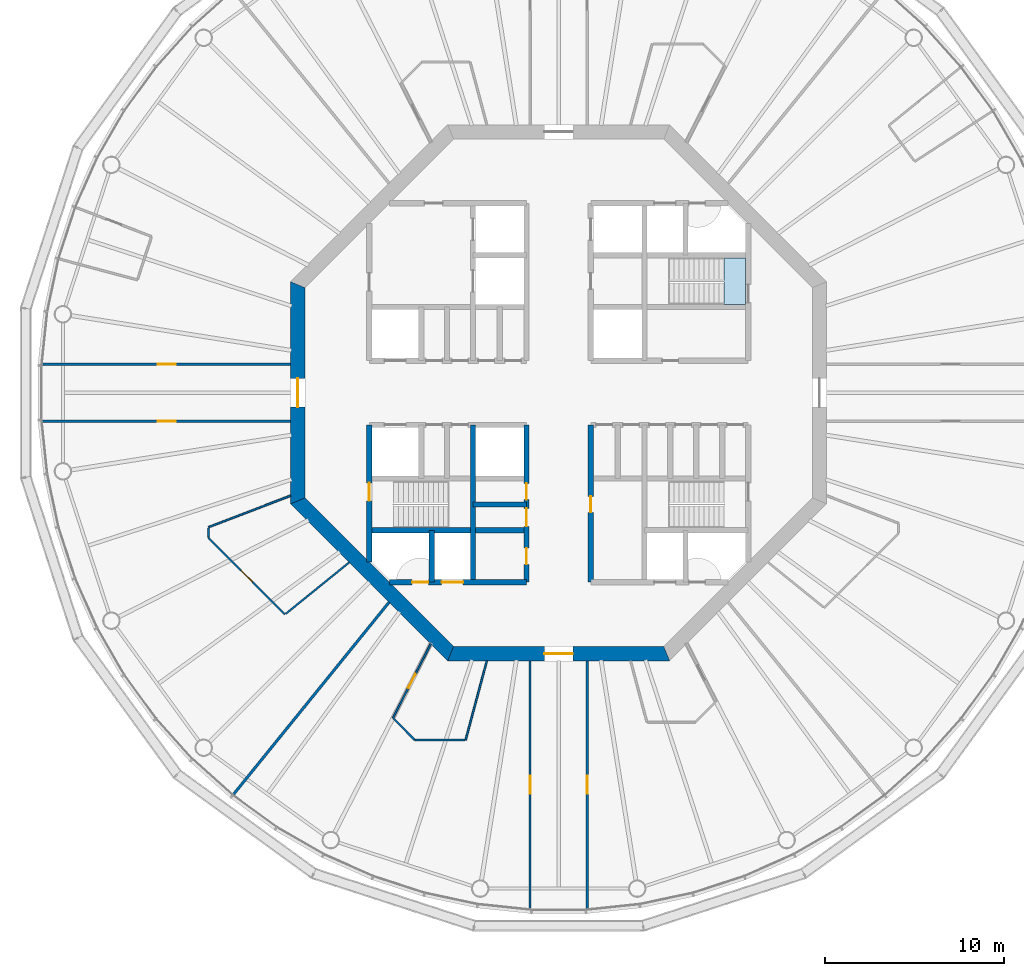
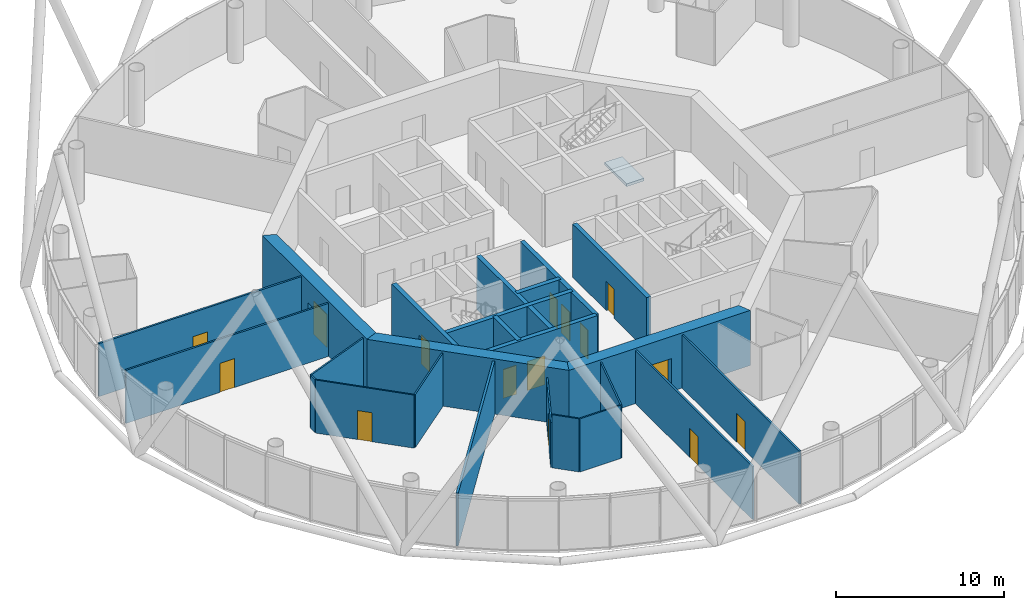
# One storey, part 3 of 13: 24 walls, 15 doors, 1 slab, 15 openings, 1 element without a shape of its own.
"""IFC4 building model written with IfcOpenShell, lengths in metres."""

from ifc_helpers import new_model, si_unit, direction, frame, frame_2d, origin, place, context, subcontext, project, spatial, polyline, rectangle, outline, extrude, material, layer, layer_set, type_object, element, fill, aggregate, save


model = new_model("IFC4")

# Units and contexts
model_context = context("Model", 3, precision=1e-05, world=origin(), true_north=direction((0.0, 1.0)))
body_context = subcontext(model_context, "Body", "Model", "MODEL_VIEW")
ifc_project = project(units=[si_unit("LENGTHUNIT", "METRE"), si_unit("AREAUNIT", "SQUARE_METRE"), si_unit("VOLUMEUNIT", "CUBIC_METRE"), si_unit("PLANEANGLEUNIT", "RADIAN"), si_unit("MASSUNIT", "GRAM", prefix="KILO")], contexts=[model_context])

# Site, building, storey
site_placement = place(None, origin())
site = spatial("IfcSite", under=ifc_project, at=site_placement, CompositionType="ELEMENT")
building_placement = place(site_placement, origin())
building = spatial("IfcBuilding", under=site, at=building_placement, Name="Entoto Ring Tower", CompositionType="ELEMENT")
storey_placement = place(building_placement, frame((0.0, 0.0, 294.0)))
storey = spatial("IfcBuildingStorey", under=building, at=storey_placement, Name="L67", CompositionType="ELEMENT", Elevation=294.0)

# Stair, slab
ifc_material_1 = material(Name="Concrete C40/50", Category="concrete")
stair_type = type_object("IfcStairType", Name="Exit stair 1200 mm dog-leg reinforced concrete", PredefinedType="HALF_TURN_STAIR", material=ifc_material_1)
stair_placement = place(storey_placement, origin())
stair = element("IfcStair", 1, at=stair_placement, inside=storey, type_object=stair_type, Name="Exit stair 1", PredefinedType="HALF_TURN_STAIR")
ifc_material_2 = material(Name="Concrete C40/50", Category="concrete")
ifc_layer_1 = layer(ifc_material_2, 0.199951171875)
ifc_layer_set_1 = layer_set([ifc_layer_1], Name="Concrete C40/50")
slab_type = type_object("IfcSlabType", Name="Stair landing 200 mm reinforced concrete", PredefinedType="LANDING", material=ifc_layer_set_1)
slab_placement = place(storey_placement, frame((0.0, 0.0, -0.199951171875)))
slab = element("IfcSlab", 2, at=slab_placement, type_object=slab_type, Name="ST1 landing 1", PredefinedType="LANDING", context=body_context, shape_type="SweptSolid", body=[
    extrude(outline(polyline([(100.449951171875, 84.949951171875), (100.449951171875, 87.550048828125), (99.25, 87.550048828125), (99.25, 84.949951171875), (100.449951171875, 84.949951171875)])), origin(), (0.0, 0.0, 1.0), 0.199951171875),
])
aggregate(stair, [slab])

# Wall, opening, door
ifc_material_3 = material(Name="Concrete C40/50", Category="concrete")
ifc_layer_2 = layer(ifc_material_3, 0.300048828125)
ifc_layer_set_2 = layer_set([ifc_layer_2], Name="Concrete C40/50")
wall_type_1 = type_object("IfcWallType", Name="Core enclosure wall 300 mm reinforced concrete", PredefinedType="SOLIDWALL", material=ifc_layer_set_2)
wall_1_placement = place(storey_placement, frame((91.800048828125, 69.39990234375, 0.0), z_axis=(0.0, 0.0, 1.0), x_axis=(0.0, 1.0, 0.0)))
wall_1 = element("IfcWall", 3, at=wall_1_placement, inside=storey, type_object=wall_type_1, Name="wall-L67-011", PredefinedType="SOLIDWALL", context=body_context, shape_type="SweptSolid", body=[
    extrude(rectangle(XDim=8.800048828125, YDim=0.300048828125, at=frame_2d((4.39990234375, 0.0))), origin(), (0.0, 0.0, 1.0), 3.85009765625),
])
opening_1_placement = place(wall_1_placement, frame((3.89990234375, 0.0, 0.0)))
opening_1 = element("IfcOpeningElement", 4, at=opening_1_placement, cuts=wall_1, Name="Opening K-21", PredefinedType="OPENING", context=body_context, shape_type="SweptSolid", body=[
    extrude(rectangle(XDim=0.89990234375, YDim=2.10009765625, at=frame_2d((0.449951171875, 1.050048828125))), frame((0.0, 0.16015625, 0.0), z_axis=(0.0, -1.0, 0.0), x_axis=(1.0, 0.0, 0.0)), (0.0, 0.0, 1.0), 0.320068359375),
])
ifc_material_4 = material(Name="Steel door leaf, fire rated", Category="steel")
ifc_layer_3 = layer(ifc_material_4, 0.050048828125)
ifc_layer_set_3 = layer_set([ifc_layer_3], Name="Steel door leaf, fire rated")
door_type_1 = type_object("IfcDoorType", Name="Core door 900 x 2100 single leaf", OperationType="NOTDEFINED", PredefinedType="DOOR", material=ifc_layer_set_3)
door_1_placement = place(opening_1_placement, frame((0.89990234375, 0.0, 0.0), z_axis=(0.0, 0.0, 1.0), x_axis=(-1.0, 0.0, 0.0)))
door_1 = element("IfcDoor", 5, at=door_1_placement, inside=storey, type_object=door_type_1, Name="Door K-21", OperationType="SINGLE_SWING_LEFT", OverallHeight=2.10009765625, OverallWidth=0.89990234375, PredefinedType="DOOR", context=body_context, shape_type="SweptSolid", body=[
    extrude(rectangle(XDim=0.89990234375, YDim=2.10009765625, at=frame_2d((0.449951171875, 1.050048828125))), frame((0.0, 0.02490234375, 0.0), z_axis=(0.0, -1.0, 0.0), x_axis=(1.0, 0.0, 0.0)), (0.0, 0.0, 1.0), 0.050048828125),
])
fill(opening_1, door_1)

# Wall, openings, doors
wall_2_placement = place(storey_placement, frame((88.199951171875, 69.39990234375, 0.0), z_axis=(0.0, 0.0, 1.0), x_axis=(0.0, 1.0, 0.0)))
wall_2 = element("IfcWall", 6, at=wall_2_placement, inside=storey, type_object=wall_type_1, Name="wall-L67-013", PredefinedType="SOLIDWALL", context=body_context, shape_type="SweptSolid", body=[
    extrude(rectangle(XDim=8.800048828125, YDim=0.300048828125, at=frame_2d((4.39990234375, 0.0))), origin(), (0.0, 0.0, 1.0), 3.85009765625),
])
opening_2_placement = place(wall_2_placement, frame((3.125, 0.0, 0.0)))
opening_2 = element("IfcOpeningElement", 7, at=opening_2_placement, cuts=wall_2, Name="Opening K-70", PredefinedType="OPENING", context=body_context, shape_type="SweptSolid", body=[
    extrude(rectangle(XDim=1.0, YDim=2.10009765625, at=frame_2d((0.5, 1.050048828125))), frame((0.0, 0.16015625, 0.0), z_axis=(0.0, -1.0, 0.0), x_axis=(1.0, 0.0, 0.0)), (0.0, 0.0, 1.0), 0.320068359375),
])
opening_3_placement = place(wall_2_placement, frame((4.625, 0.0, 0.0)))
opening_3 = element("IfcOpeningElement", 8, at=opening_3_placement, cuts=wall_2, Name="Opening K-71", PredefinedType="OPENING", context=body_context, shape_type="SweptSolid", body=[
    extrude(rectangle(XDim=0.89990234375, YDim=2.10009765625, at=frame_2d((0.449951171875, 1.050048828125))), frame((0.0, 0.16015625, 0.0), z_axis=(0.0, -1.0, 0.0), x_axis=(1.0, 0.0, 0.0)), (0.0, 0.0, 1.0), 0.320068359375),
])
opening_4_placement = place(wall_2_placement, frame((1.0, 0.0, 0.0)))
opening_4 = element("IfcOpeningElement", 9, at=opening_4_placement, cuts=wall_2, Name="Opening K-24", PredefinedType="OPENING", context=body_context, shape_type="SweptSolid", body=[
    extrude(rectangle(XDim=0.89990234375, YDim=2.10009765625, at=frame_2d((0.449951171875, 1.050048828125))), frame((0.0, 0.16015625, 0.0), z_axis=(0.0, -1.0, 0.0), x_axis=(1.0, 0.0, 0.0)), (0.0, 0.0, 1.0), 0.320068359375),
])
ifc_material_5 = material(Name="Steel door leaf, fire rated", Category="steel")
ifc_layer_4 = layer(ifc_material_5, 0.050048828125)
ifc_layer_set_4 = layer_set([ifc_layer_4], Name="Steel door leaf, fire rated")
door_type_2 = type_object("IfcDoorType", Name="Accessible door 1000 x 2100 single leaf", OperationType="NOTDEFINED", PredefinedType="DOOR", material=ifc_layer_set_4)
door_2_placement = place(opening_2_placement, origin())
door_2 = element("IfcDoor", 10, at=door_2_placement, inside=storey, type_object=door_type_2, Name="Door K-70", OperationType="SINGLE_SWING_RIGHT", OverallHeight=2.10009765625, OverallWidth=1.0, PredefinedType="DOOR", context=body_context, shape_type="SweptSolid", body=[
    extrude(rectangle(XDim=1.0, YDim=2.10009765625, at=frame_2d((0.5, 1.050048828125))), frame((0.0, 0.02490234375, 0.0), z_axis=(0.0, -1.0, 0.0), x_axis=(1.0, 0.0, 0.0)), (0.0, 0.0, 1.0), 0.050048828125),
])
fill(opening_2, door_2)
door_3_placement = place(opening_3_placement, origin())
door_3 = element("IfcDoor", 11, at=door_3_placement, inside=storey, type_object=door_type_1, Name="Door K-71", OperationType="SINGLE_SWING_RIGHT", OverallHeight=2.10009765625, OverallWidth=0.89990234375, PredefinedType="DOOR", context=body_context, shape_type="SweptSolid", body=[
    extrude(rectangle(XDim=0.89990234375, YDim=2.10009765625, at=frame_2d((0.449951171875, 1.050048828125))), frame((0.0, 0.02490234375, 0.0), z_axis=(0.0, -1.0, 0.0), x_axis=(1.0, 0.0, 0.0)), (0.0, 0.0, 1.0), 0.050048828125),
])
fill(opening_3, door_3)
door_4_placement = place(opening_4_placement, origin())
door_4 = element("IfcDoor", 12, at=door_4_placement, inside=storey, type_object=door_type_1, Name="Door K-24", OperationType="SINGLE_SWING_RIGHT", OverallHeight=2.10009765625, OverallWidth=0.89990234375, PredefinedType="DOOR", context=body_context, shape_type="SweptSolid", body=[
    extrude(rectangle(XDim=0.89990234375, YDim=2.10009765625, at=frame_2d((0.449951171875, 1.050048828125))), frame((0.0, 0.02490234375, 0.0), z_axis=(0.0, -1.0, 0.0), x_axis=(1.0, 0.0, 0.0)), (0.0, 0.0, 1.0), 0.050048828125),
])
fill(opening_4, door_4)

# Walls
wall_3_placement = place(storey_placement, frame((85.199951171875, 69.39990234375, 0.0), z_axis=(0.0, 0.0, 1.0), x_axis=(0.0, 1.0, 0.0)))
element("IfcWall", 13, at=wall_3_placement, inside=storey, type_object=wall_type_1, Name="wall-L67-016", PredefinedType="SOLIDWALL", context=body_context, shape_type="SweptSolid", body=[
    extrude(rectangle(XDim=8.800048828125, YDim=0.300048828125, at=frame_2d((4.39990234375, 0.0))), origin(), (0.0, 0.0, 1.0), 3.85009765625),
])
wall_4_placement = place(storey_placement, frame((82.89990234375, 69.39990234375, 0.0), z_axis=(0.0, 0.0, 1.0), x_axis=(0.0, 1.0, 0.0)))
element("IfcWall", 14, at=wall_4_placement, inside=storey, type_object=wall_type_1, Name="wall-L67-020", PredefinedType="SOLIDWALL", context=body_context, shape_type="SweptSolid", body=[
    extrude(rectangle(XDim=2.900146484375, YDim=0.300048828125, at=frame_2d((1.4501953125, 0.0))), origin(), (0.0, 0.0, 1.0), 3.85009765625),
])

# Wall, opening, door
wall_5_placement = place(storey_placement, frame((79.39990234375, 70.518310546875, 0.0), z_axis=(0.0, 0.0, 1.0), x_axis=(0.0, 1.0, 0.0)))
wall_5 = element("IfcWall", 15, at=wall_5_placement, inside=storey, type_object=wall_type_1, Name="wall-L67-023", PredefinedType="SOLIDWALL", context=body_context, shape_type="SweptSolid", body=[
    extrude(rectangle(XDim=7.681640625, YDim=0.300048828125, at=frame_2d((3.8408203125, 0.0))), origin(), (0.0, 0.0, 1.0), 3.85009765625),
])
opening_5_placement = place(wall_5_placement, frame((3.431884765625, 0.0, 0.0)))
opening_5 = element("IfcOpeningElement", 16, at=opening_5_placement, cuts=wall_5, Name="Opening K-30", PredefinedType="OPENING", context=body_context, shape_type="SweptSolid", body=[
    extrude(rectangle(XDim=1.0, YDim=2.10009765625, at=frame_2d((0.5, 1.050048828125))), frame((0.0, 0.16015625, 0.0), z_axis=(0.0, -1.0, 0.0), x_axis=(1.0, 0.0, 0.0)), (0.0, 0.0, 1.0), 0.320068359375),
])
ifc_material_6 = material(Name="Steel door leaf, fire rated", Category="steel")
ifc_layer_5 = layer(ifc_material_6, 0.050048828125)
ifc_layer_set_5 = layer_set([ifc_layer_5], Name="Steel door leaf, fire rated")
door_type_3 = type_object("IfcDoorType", Name="Fire door FD60 1000 x 2100 single leaf", OperationType="NOTDEFINED", PredefinedType="DOOR", material=ifc_layer_set_5)
door_5_placement = place(opening_5_placement, frame((1.0, 0.0, 0.0), z_axis=(0.0, 0.0, 1.0), x_axis=(-1.0, 0.0, 0.0)))
door_5 = element("IfcDoor", 17, at=door_5_placement, inside=storey, type_object=door_type_3, Name="Door K-30", OperationType="SINGLE_SWING_LEFT", OverallHeight=2.10009765625, OverallWidth=1.0, PredefinedType="DOOR", context=body_context, shape_type="SweptSolid", body=[
    extrude(rectangle(XDim=1.0, YDim=2.10009765625, at=frame_2d((0.5, 1.050048828125))), frame((0.0, 0.02490234375, 0.0), z_axis=(0.0, -1.0, 0.0), x_axis=(1.0, 0.0, 0.0)), (0.0, 0.0, 1.0), 0.050048828125),
])
fill(opening_5, door_5)

# Wall, openings, doors
wall_6_placement = place(storey_placement, frame((80.518310546875, 69.39990234375, 0.0), z_axis=(0.0, 0.0, 1.0), x_axis=(1.0, 0.0, 0.0)))
wall_6 = element("IfcWall", 18, at=wall_6_placement, inside=storey, type_object=wall_type_1, Name="wall-L67-025", PredefinedType="SOLIDWALL", context=body_context, shape_type="SweptSolid", body=[
    extrude(rectangle(XDim=7.681640625, YDim=0.300048828125, at=frame_2d((3.8408203125, 0.0))), origin(), (0.0, 0.0, 1.0), 3.85009765625),
])
opening_6_placement = place(wall_6_placement, frame((2.931884765625, 0.0, 0.0)))
opening_6 = element("IfcOpeningElement", 19, at=opening_6_placement, cuts=wall_6, Name="Opening LD", PredefinedType="OPENING", context=body_context, shape_type="SweptSolid", body=[
    extrude(rectangle(XDim=1.199951171875, YDim=2.10009765625, at=frame_2d((0.60009765625, 1.050048828125))), frame((0.0, 0.16015625, 0.0), z_axis=(0.0, -1.0, 0.0), x_axis=(1.0, 0.0, 0.0)), (0.0, 0.0, 1.0), 0.320068359375),
])
opening_7_placement = place(wall_6_placement, frame((1.28173828125, 0.0, 0.0)))
opening_7 = element("IfcOpeningElement", 20, at=opening_7_placement, cuts=wall_6, Name="Opening K-33", PredefinedType="OPENING", context=body_context, shape_type="SweptSolid", body=[
    extrude(rectangle(XDim=0.89990234375, YDim=2.10009765625, at=frame_2d((0.449951171875, 1.050048828125))), frame((0.0, 0.16015625, 0.0), z_axis=(0.0, -1.0, 0.0), x_axis=(1.0, 0.0, 0.0)), (0.0, 0.0, 1.0), 0.320068359375),
])
ifc_material_7 = material(Name="Steel and glass door leaf", Category="steel")
ifc_layer_6 = layer(ifc_material_7, 0.050048828125)
ifc_layer_set_6 = layer_set([ifc_layer_6], Name="Steel and glass door leaf")
door_type_4 = type_object("IfcDoorType", Name="Landing door 1200 x 2100 sliding", OperationType="DOUBLE_DOOR_SLIDING", PredefinedType="DOOR", material=ifc_layer_set_6)
door_6_placement = place(opening_6_placement, origin())
door_6 = element("IfcDoor", 21, at=door_6_placement, inside=storey, type_object=door_type_4, Name="Landing door LB3-HR", OperationType="SLIDING_TO_RIGHT", OverallHeight=2.10009765625, OverallWidth=1.199951171875, PredefinedType="DOOR", context=body_context, shape_type="SweptSolid", body=[
    extrude(rectangle(XDim=1.199951171875, YDim=2.10009765625, at=frame_2d((0.60009765625, 1.050048828125))), frame((0.0, 0.02490234375, 0.0), z_axis=(0.0, -1.0, 0.0), x_axis=(1.0, 0.0, 0.0)), (0.0, 0.0, 1.0), 0.050048828125),
])
fill(opening_6, door_6)
ifc_material_8 = material(Name="Steel door leaf, fire rated", Category="steel")
ifc_layer_7 = layer(ifc_material_8, 0.050048828125)
ifc_layer_set_7 = layer_set([ifc_layer_7], Name="Steel door leaf, fire rated")
door_type_5 = type_object("IfcDoorType", Name="Riser door FD60 900 x 2100 single leaf", OperationType="NOTDEFINED", PredefinedType="DOOR", material=ifc_layer_set_7)
door_7_placement = place(opening_7_placement, origin())
door_7 = element("IfcDoor", 22, at=door_7_placement, inside=storey, type_object=door_type_5, Name="Door K-33", OperationType="SINGLE_SWING_RIGHT", OverallHeight=2.10009765625, OverallWidth=0.89990234375, PredefinedType="DOOR", context=body_context, shape_type="SweptSolid", body=[
    extrude(rectangle(XDim=0.89990234375, YDim=2.10009765625, at=frame_2d((0.449951171875, 1.050048828125))), frame((0.0, 0.02490234375, 0.0), z_axis=(0.0, -1.0, 0.0), x_axis=(1.0, 0.0, 0.0)), (0.0, 0.0, 1.0), 0.050048828125),
])
fill(opening_7, door_7)

# Walls
wall_7_placement = place(storey_placement, frame((79.39990234375, 72.300048828125, 0.0), z_axis=(0.0, 0.0, 1.0), x_axis=(1.0, 0.0, 0.0)))
element("IfcWall", 23, at=wall_7_placement, inside=storey, type_object=wall_type_1, Name="wall-L67-027", PredefinedType="SOLIDWALL", context=body_context, shape_type="SweptSolid", body=[
    extrude(rectangle(XDim=8.800048828125, YDim=0.300048828125, at=frame_2d((4.39990234375, 0.0))), origin(), (0.0, 0.0, 1.0), 3.85009765625),
])
wall_8_placement = place(storey_placement, frame((85.199951171875, 73.75, 0.0), z_axis=(0.0, 0.0, 1.0), x_axis=(1.0, 0.0, 0.0)))
element("IfcWall", 24, at=wall_8_placement, inside=storey, type_object=wall_type_1, Name="wall-L67-029", PredefinedType="SOLIDWALL", context=body_context, shape_type="SweptSolid", body=[
    extrude(rectangle(XDim=3.0, YDim=0.300048828125, at=frame_2d((1.5, 0.0))), origin(), (0.0, 0.0, 1.0), 3.85009765625),
])

# Wall, opening, door
ifc_material_9 = material(Name="Concrete C40/50", Category="concrete")
ifc_layer_8 = layer(ifc_material_9, 0.800048828125)
ifc_layer_set_8 = layer_set([ifc_layer_8], Name="Concrete C40/50")
wall_type_2 = type_object("IfcWallType", Name="Core shear wall 800 mm reinforced concrete C40/50", PredefinedType="SHEAR", material=ifc_layer_set_8)
wall_9_placement = place(storey_placement, frame((75.39990234375, 86.047607421875, 0.0), z_axis=(0.0, 0.0, 1.0), x_axis=(0.0, -1.0, 0.0)))
wall_9 = element("IfcWall", 25, at=wall_9_placement, inside=storey, type_object=wall_type_2, Name="wall-L67-core-4", PredefinedType="SHEAR", context=body_context, shape_type="SweptSolid", body=[
    extrude(outline(polyline([(-0.165771484375, -0.39990234375), (12.260986328125, -0.39990234375), (11.929443359375, 0.39990234375), (0.165771484375, 0.39990234375), (-0.165771484375, -0.39990234375)])), origin(), (0.0, 0.0, 1.0), 4.0),
])
opening_8_placement = place(wall_9_placement, frame((5.24755859375, 0.0, 0.0)))
opening_8 = element("IfcOpeningElement", 26, at=opening_8_placement, cuts=wall_9, Name="Opening K-03", PredefinedType="OPENING", context=body_context, shape_type="SweptSolid", body=[
    extrude(rectangle(XDim=1.60009765625, YDim=2.39990234375, at=frame_2d((0.800048828125, 1.199951171875))), frame((0.0, 0.41015625, 0.0), z_axis=(0.0, -1.0, 0.0), x_axis=(1.0, 0.0, 0.0)), (0.0, 0.0, 1.0), 0.820068359375),
])
ifc_material_10 = material(Name="Steel door leaf, fire rated", Category="steel")
ifc_layer_9 = layer(ifc_material_10, 0.050048828125)
ifc_layer_set_9 = layer_set([ifc_layer_9], Name="Steel door leaf, fire rated")
door_type_6 = type_object("IfcDoorType", Name="Entrance door FD60 1600 x 2400 double leaf", OperationType="DOUBLE_DOOR_SINGLE_SWING", PredefinedType="DOOR", material=ifc_layer_set_9)
door_8_placement = place(opening_8_placement, origin())
door_8 = element("IfcDoor", 27, at=door_8_placement, inside=storey, type_object=door_type_6, Name="Entrance door K-03", OperationType="DOUBLE_DOOR_SINGLE_SWING", OverallHeight=2.39990234375, OverallWidth=1.60009765625, PredefinedType="DOOR", context=body_context, shape_type="SweptSolid", body=[
    extrude(rectangle(XDim=1.60009765625, YDim=2.39990234375, at=frame_2d((0.800048828125, 1.199951171875))), frame((0.0, 0.02490234375, 0.0), z_axis=(0.0, -1.0, 0.0), x_axis=(1.0, 0.0, 0.0)), (0.0, 0.0, 1.0), 0.050048828125),
])
fill(opening_8, door_8)

# Wall
wall_10_placement = place(storey_placement, frame((75.39990234375, 73.952392578125, 0.0), z_axis=(0.0, 0.0, 1.0), x_axis=(0.707106781187, -0.707106781187, 0.0)))
element("IfcWall", 28, at=wall_10_placement, inside=storey, type_object=wall_type_2, Name="wall-L67-core-5", PredefinedType="SHEAR", context=body_context, shape_type="SweptSolid", body=[
    extrude(outline(polyline([(-0.165771484375, -0.39990234375), (12.2607421875, -0.39990234375), (11.92919921875, 0.39990234375), (0.165771484375, 0.39990234375), (-0.165771484375, -0.39990234375)])), origin(), (0.0, 0.0, 1.0), 4.0),
])

# Wall, opening, door
wall_11_placement = place(storey_placement, frame((83.952392578125, 65.39990234375, 0.0), z_axis=(0.0, 0.0, 1.0), x_axis=(1.0, 0.0, 0.0)))
wall_11 = element("IfcWall", 29, at=wall_11_placement, inside=storey, type_object=wall_type_2, Name="wall-L67-core-6", PredefinedType="SHEAR", context=body_context, shape_type="SweptSolid", body=[
    extrude(outline(polyline([(-0.165771484375, -0.39990234375), (12.260986328125, -0.39990234375), (11.929443359375, 0.39990234375), (0.165771484375, 0.39990234375), (-0.165771484375, -0.39990234375)])), origin(), (0.0, 0.0, 1.0), 4.0),
])
opening_9_placement = place(wall_11_placement, frame((5.24755859375, 0.0, 0.0)))
opening_9 = element("IfcOpeningElement", 30, at=opening_9_placement, cuts=wall_11, Name="Opening K-04", PredefinedType="OPENING", context=body_context, shape_type="SweptSolid", body=[
    extrude(rectangle(XDim=1.60009765625, YDim=2.39990234375, at=frame_2d((0.800048828125, 1.199951171875))), frame((0.0, 0.41015625, 0.0), z_axis=(0.0, -1.0, 0.0), x_axis=(1.0, 0.0, 0.0)), (0.0, 0.0, 1.0), 0.820068359375),
])
door_9_placement = place(opening_9_placement, origin())
door_9 = element("IfcDoor", 31, at=door_9_placement, inside=storey, type_object=door_type_6, Name="Entrance door K-04", OperationType="DOUBLE_DOOR_SINGLE_SWING", OverallHeight=2.39990234375, OverallWidth=1.60009765625, PredefinedType="DOOR", context=body_context, shape_type="SweptSolid", body=[
    extrude(rectangle(XDim=1.60009765625, YDim=2.39990234375, at=frame_2d((0.800048828125, 1.199951171875))), frame((0.0, 0.02490234375, 0.0), z_axis=(0.0, -1.0, 0.0), x_axis=(1.0, 0.0, 0.0)), (0.0, 0.0, 1.0), 0.050048828125),
])
fill(opening_9, door_9)

ifc_material_11 = material(Name="Fire-resisting plasterboard on steel studs", Category="steel")
ifc_layer_10 = layer(ifc_material_11, 0.125)
ifc_layer_set_10 = layer_set([ifc_layer_10], Name="Fire-resisting plasterboard on steel studs")
wall_type_3 = type_object("IfcWallType", Name="Corridor wall 125 mm one-hour plasterboard on steel studs", PredefinedType="PARTITIONING", material=ifc_layer_set_10)
wall_12_placement = place(storey_placement, frame((61.108642578125, 78.39990234375, 0.0), z_axis=(0.0, 0.0, 1.0), x_axis=(1.0, 0.0, 0.0)))
wall_12 = element("IfcWall", 32, at=wall_12_placement, inside=storey, type_object=wall_type_3, Name="partition-L67-001", PredefinedType="PARTITIONING", context=body_context, shape_type="SweptSolid", body=[
    extrude(rectangle(XDim=13.891357421875, YDim=0.125, at=frame_2d((6.94580078125, 0.0))), origin(), (0.0, 0.0, 1.0), 3.85009765625),
])
opening_10_placement = place(wall_12_placement, frame((6.44580078125, 0.0, 0.0)))
opening_10 = element("IfcOpeningElement", 33, at=opening_10_placement, cuts=wall_12, Name="Opening A29-D09", PredefinedType="OPENING", context=body_context, shape_type="SweptSolid", body=[
    extrude(rectangle(XDim=1.0, YDim=2.10009765625, at=frame_2d((0.5, 1.050048828125))), frame((0.0, 0.072509765625, 0.0), z_axis=(0.0, -1.0, 0.0), x_axis=(1.0, 0.0, 0.0)), (0.0, 0.0, 1.0), 0.14501953125),
])
ifc_material_12 = material(Name="Fire-resisting timber door set", Category="wood")
door_type_7 = type_object("IfcDoorType", Name="Door 1000 x 2100 single leaf FD30S fire door", OperationType="NOTDEFINED", PredefinedType="DOOR", material=ifc_material_12)
door_10_placement = place(opening_10_placement, frame((1.0, 0.0, 0.0), z_axis=(0.0, 0.0, 1.0), x_axis=(-1.0, 0.0, 0.0)))
door_10 = element("IfcDoor", 34, at=door_10_placement, inside=storey, type_object=door_type_7, Name="Door A29-D09", OperationType="SINGLE_SWING_RIGHT", OverallHeight=2.10009765625, OverallWidth=1.0, PredefinedType="DOOR", context=body_context, shape_type="SweptSolid", body=[
    extrude(rectangle(XDim=1.0, YDim=2.10009765625, at=frame_2d((0.5, 1.050048828125))), frame((0.0, 0.02490234375, 0.0), z_axis=(0.0, -1.0, 0.0), x_axis=(1.0, 0.0, 0.0)), (0.0, 0.0, 1.0), 0.050048828125),
])
fill(opening_10, door_10)

wall_13_placement = place(storey_placement, frame((61.108642578125, 81.60009765625, 0.0), z_axis=(0.0, 0.0, 1.0), x_axis=(1.0, 0.0, 0.0)))
wall_13 = element("IfcWall", 35, at=wall_13_placement, inside=storey, type_object=wall_type_3, Name="partition-L67-002", PredefinedType="PARTITIONING", context=body_context, shape_type="SweptSolid", body=[
    extrude(rectangle(XDim=13.891357421875, YDim=0.125, at=frame_2d((6.94580078125, 0.0))), origin(), (0.0, 0.0, 1.0), 3.85009765625),
])
opening_11_placement = place(wall_13_placement, frame((6.44580078125, 0.0, 0.0)))
opening_11 = element("IfcOpeningElement", 36, at=opening_11_placement, cuts=wall_13, Name="Opening A29-D07", PredefinedType="OPENING", context=body_context, shape_type="SweptSolid", body=[
    extrude(rectangle(XDim=1.0, YDim=2.10009765625, at=frame_2d((0.5, 1.050048828125))), frame((0.0, 0.072509765625, 0.0), z_axis=(0.0, -1.0, 0.0), x_axis=(1.0, 0.0, 0.0)), (0.0, 0.0, 1.0), 0.14501953125),
])
door_11_placement = place(opening_11_placement, origin())
door_11 = element("IfcDoor", 37, at=door_11_placement, inside=storey, type_object=door_type_7, Name="Door A29-D07", OperationType="SINGLE_SWING_LEFT", OverallHeight=2.10009765625, OverallWidth=1.0, PredefinedType="DOOR", context=body_context, shape_type="SweptSolid", body=[
    extrude(rectangle(XDim=1.0, YDim=2.10009765625, at=frame_2d((0.5, 1.050048828125))), frame((0.0, 0.02490234375, 0.0), z_axis=(0.0, -1.0, 0.0), x_axis=(1.0, 0.0, 0.0)), (0.0, 0.0, 1.0), 0.050048828125),
])
fill(opening_11, door_11)

wall_14_placement = place(storey_placement, frame((88.39990234375, 51.108642578125, 0.0), z_axis=(0.0, 0.0, 1.0), x_axis=(0.0, 1.0, 0.0)))
wall_14 = element("IfcWall", 38, at=wall_14_placement, inside=storey, type_object=wall_type_3, Name="partition-L67-003", PredefinedType="PARTITIONING", context=body_context, shape_type="SweptSolid", body=[
    extrude(rectangle(XDim=13.891357421875, YDim=0.125, at=frame_2d((6.94580078125, 0.0))), origin(), (0.0, 0.0, 1.0), 3.85009765625),
])
opening_12_placement = place(wall_14_placement, frame((6.44580078125, 0.0, 0.0)))
opening_12 = element("IfcOpeningElement", 39, at=opening_12_placement, cuts=wall_14, Name="Opening A29-D11", PredefinedType="OPENING", context=body_context, shape_type="SweptSolid", body=[
    extrude(rectangle(XDim=1.0, YDim=2.10009765625, at=frame_2d((0.5, 1.050048828125))), frame((0.0, 0.072509765625, 0.0), z_axis=(0.0, -1.0, 0.0), x_axis=(1.0, 0.0, 0.0)), (0.0, 0.0, 1.0), 0.14501953125),
])
door_12_placement = place(opening_12_placement, origin())
door_12 = element("IfcDoor", 40, at=door_12_placement, inside=storey, type_object=door_type_7, Name="Door A29-D11", OperationType="SINGLE_SWING_LEFT", OverallHeight=2.10009765625, OverallWidth=1.0, PredefinedType="DOOR", context=body_context, shape_type="SweptSolid", body=[
    extrude(rectangle(XDim=1.0, YDim=2.10009765625, at=frame_2d((0.5, 1.050048828125))), frame((0.0, 0.02490234375, 0.0), z_axis=(0.0, -1.0, 0.0), x_axis=(1.0, 0.0, 0.0)), (0.0, 0.0, 1.0), 0.050048828125),
])
fill(opening_12, door_12)

wall_15_placement = place(storey_placement, frame((91.60009765625, 51.108642578125, 0.0), z_axis=(0.0, 0.0, 1.0), x_axis=(0.0, 1.0, 0.0)))
wall_15 = element("IfcWall", 41, at=wall_15_placement, inside=storey, type_object=wall_type_3, Name="partition-L67-005", PredefinedType="PARTITIONING", context=body_context, shape_type="SweptSolid", body=[
    extrude(rectangle(XDim=13.891357421875, YDim=0.125, at=frame_2d((6.94580078125, 0.0))), origin(), (0.0, 0.0, 1.0), 3.85009765625),
])
opening_13_placement = place(wall_15_placement, frame((6.44580078125, 0.0, 0.0)))
opening_13 = element("IfcOpeningElement", 42, at=opening_13_placement, cuts=wall_15, Name="Opening A29-D13", PredefinedType="OPENING", context=body_context, shape_type="SweptSolid", body=[
    extrude(rectangle(XDim=1.0, YDim=2.10009765625, at=frame_2d((0.5, 1.050048828125))), frame((0.0, 0.072509765625, 0.0), z_axis=(0.0, -1.0, 0.0), x_axis=(1.0, 0.0, 0.0)), (0.0, 0.0, 1.0), 0.14501953125),
])
door_13_placement = place(opening_13_placement, frame((1.0, 0.0, 0.0), z_axis=(0.0, 0.0, 1.0), x_axis=(-1.0, 0.0, 0.0)))
door_13 = element("IfcDoor", 43, at=door_13_placement, inside=storey, type_object=door_type_7, Name="Door A29-D13", OperationType="SINGLE_SWING_RIGHT", OverallHeight=2.10009765625, OverallWidth=1.0, PredefinedType="DOOR", context=body_context, shape_type="SweptSolid", body=[
    extrude(rectangle(XDim=1.0, YDim=2.10009765625, at=frame_2d((0.5, 1.050048828125))), frame((0.0, 0.02490234375, 0.0), z_axis=(0.0, -1.0, 0.0), x_axis=(1.0, 0.0, 0.0)), (0.0, 0.0, 1.0), 0.050048828125),
])
fill(opening_13, door_13)

ifc_material_13 = material(Name="Plasterboard on steel studs", Category="steel")
ifc_layer_11 = layer(ifc_material_13, 0.10009765625)
ifc_layer_set_11 = layer_set([ifc_layer_11], Name="Plasterboard on steel studs")
wall_type_4 = type_object("IfcWallType", Name="Partition 100 mm plasterboard on steel studs", PredefinedType="PARTITIONING", material=ifc_layer_set_11)
wall_16_placement = place(storey_placement, frame((74.68408203125, 67.597412109375, 0.0), z_axis=(0.0, 0.0, 1.0), x_axis=(-0.707126929262, 0.707086632537, 0.0)))
wall_16 = element("IfcWall", 44, at=wall_16_placement, inside=storey, type_object=wall_type_4, Name="partition-L67-013", PredefinedType="PARTITIONING", context=body_context, shape_type="SweptSolid", body=[
    extrude(rectangle(XDim=6.05859375, YDim=0.10009765625, at=frame_2d((3.029296875, 0.0))), origin(), (0.0, 0.0, 1.0), 3.85009765625),
])
opening_14_placement = place(wall_16_placement, frame((2.579345703125, 0.0, 0.0)))
opening_14 = element("IfcOpeningElement", 45, at=opening_14_placement, cuts=wall_16, Name="Opening A29-D10", PredefinedType="OPENING", context=body_context, shape_type="SweptSolid", body=[
    extrude(rectangle(XDim=0.89990234375, YDim=2.10009765625, at=frame_2d((0.449951171875, 1.050048828125))), frame((0.0, 0.06005859375, 0.0), z_axis=(0.0, -1.0, 0.0), x_axis=(1.0, 0.0, 0.0)), (0.0, 0.0, 1.0), 0.1201171875),
])
ifc_material_14 = material(Name="Veneered timber door leaf in timber frame", Category="wood")
door_type_8 = type_object("IfcDoorType", Name="Door 900 x 2100 single leaf timber veneer", OperationType="NOTDEFINED", PredefinedType="DOOR", material=ifc_material_14)
door_14_placement = place(opening_14_placement, frame((0.89990234375, 0.0, 0.0), z_axis=(0.0, 0.0, 1.0), x_axis=(-1.0, 0.0, 0.0)))
door_14 = element("IfcDoor", 46, at=door_14_placement, inside=storey, type_object=door_type_8, Name="Door A29-D10", OperationType="SINGLE_SWING_RIGHT", OverallHeight=2.10009765625, OverallWidth=0.89990234375, PredefinedType="DOOR", context=body_context, shape_type="SweptSolid", body=[
    extrude(rectangle(XDim=0.89990234375, YDim=2.10009765625, at=frame_2d((0.449951171875, 1.050048828125))), frame((0.0, 0.02490234375, 0.0), z_axis=(0.0, -1.0, 0.0), x_axis=(1.0, 0.0, 0.0)), (0.0, 0.0, 1.0), 0.050048828125),
])
fill(opening_14, door_14)

# Walls
wall_17_placement = place(storey_placement, frame((70.39990234375, 72.476318359375, 0.0), z_axis=(0.0, 0.0, 1.0), x_axis=(0.933593126513, 0.358334863122, 0.0)))
element("IfcWall", 47, at=wall_17_placement, inside=storey, type_object=wall_type_4, Name="partition-L67-017", PredefinedType="PARTITIONING", context=body_context, shape_type="SweptSolid", body=[
    extrude(rectangle(XDim=4.92724609375, YDim=0.10009765625, at=frame_2d((2.463623046875, 0.0))), origin(), (0.0, 0.0, 1.0), 3.85009765625),
])
wall_18_placement = place(storey_placement, frame((74.72265625, 67.628662109375, 0.0), z_axis=(0.0, 0.0, 1.0), x_axis=(0.777133029687, 0.629336360121, 0.0)))
element("IfcWall", 48, at=wall_18_placement, inside=storey, type_object=wall_type_4, Name="partition-L67-021", PredefinedType="PARTITIONING", context=body_context, shape_type="SweptSolid", body=[
    extrude(rectangle(XDim=4.57568359375, YDim=0.10009765625, at=frame_2d((2.287841796875, 0.0))), origin(), (0.0, 0.0, 1.0), 3.85009765625),
])
wall_19_placement = place(storey_placement, frame((84.791015625, 60.56005859375, 0.0), z_axis=(0.0, 0.0, 1.0), x_axis=(0.258822810663, 0.965924817302, 0.0)))
element("IfcWall", 49, at=wall_19_placement, inside=storey, type_object=wall_type_4, Name="partition-L67-022", PredefinedType="PARTITIONING", context=body_context, shape_type="SweptSolid", body=[
    extrude(rectangle(XDim=4.5966796875, YDim=0.10009765625, at=frame_2d((2.29833984375, 0.0))), origin(), (0.0, 0.0, 1.0), 3.85009765625),
])
wall_20_placement = place(storey_placement, frame((81.94775390625, 60.56005859375, 0.0), z_axis=(0.0, 0.0, 1.0), x_axis=(1.0, 0.0, 0.0)))
element("IfcWall", 50, at=wall_20_placement, inside=storey, type_object=wall_type_4, Name="partition-L67-032", PredefinedType="PARTITIONING", context=body_context, shape_type="SweptSolid", body=[
    extrude(rectangle(XDim=2.795166015625, YDim=0.10009765625, at=frame_2d((1.3974609375, 0.0))), origin(), (0.0, 0.0, 1.0), 3.85009765625),
])
wall_21_placement = place(storey_placement, frame((81.9228515625, 60.584716796875, 0.0), z_axis=(0.0, 0.0, 1.0), x_axis=(-0.707032943482, 0.707180611181, 0.0)))
element("IfcWall", 51, at=wall_21_placement, inside=storey, type_object=wall_type_4, Name="partition-L67-038", PredefinedType="PARTITIONING", context=body_context, shape_type="SweptSolid", body=[
    extrude(rectangle(XDim=1.6533203125, YDim=0.10009765625, at=frame_2d((0.82666015625, 0.0))), origin(), (0.0, 0.0, 1.0), 3.85009765625),
])
wall_22_placement = place(storey_placement, frame((70.39990234375, 71.91650390625, 0.0), z_axis=(0.0, 0.0, 1.0), x_axis=(0.0, 1.0, 0.0)))
element("IfcWall", 52, at=wall_22_placement, inside=storey, type_object=wall_type_4, Name="partition-L67-041", PredefinedType="PARTITIONING", context=body_context, shape_type="SweptSolid", body=[
    extrude(rectangle(XDim=0.51318359375, YDim=0.10009765625, at=frame_2d((0.256591796875, 0.0))), origin(), (0.0, 0.0, 1.0), 3.85009765625),
])

# Wall, opening, door
ifc_material_15 = material(Name="Plasterboard on steel studs", Category="steel")
ifc_layer_12 = layer(ifc_material_15, 0.10009765625)
ifc_layer_set_12 = layer_set([ifc_layer_12], Name="Plasterboard on steel studs")
wall_type_5 = type_object("IfcWallType", Name="Partition 100 mm plasterboard on steel studs, 3250 mm high", PredefinedType="PARTITIONING", material=ifc_layer_set_12)
wall_23_placement = place(storey_placement, frame((80.72021484375, 61.787353515625, 0.0), z_axis=(0.0, 0.0, 1.0), x_axis=(0.453978268405, 0.891012756259, 0.0)))
wall_23 = element("IfcWall", 53, at=wall_23_placement, inside=storey, type_object=wall_type_5, Name="partition-L67-020", PredefinedType="PARTITIONING", context=body_context, shape_type="SweptSolid", body=[
    extrude(rectangle(XDim=4.66845703125, YDim=0.10009765625, at=frame_2d((2.334228515625, 0.0))), origin(), (0.0, 0.0, 1.0), 3.25),
])
opening_15_placement = place(wall_23_placement, frame((1.88427734375, 0.0, 0.0)))
opening_15 = element("IfcOpeningElement", 54, at=opening_15_placement, cuts=wall_23, Name="Opening A29-D12", PredefinedType="OPENING", context=body_context, shape_type="SweptSolid", body=[
    extrude(rectangle(XDim=0.89990234375, YDim=2.10009765625, at=frame_2d((0.449951171875, 1.050048828125))), frame((0.0, 0.06005859375, 0.0), z_axis=(0.0, -1.0, 0.0), x_axis=(1.0, 0.0, 0.0)), (0.0, 0.0, 1.0), 0.1201171875),
])
door_15_placement = place(opening_15_placement, frame((0.89990234375, 0.0, 0.0), z_axis=(0.0, 0.0, 1.0), x_axis=(-1.0, 0.0, 0.0)))
door_15 = element("IfcDoor", 55, at=door_15_placement, inside=storey, type_object=door_type_8, Name="Door A29-D12", OperationType="SINGLE_SWING_LEFT", OverallHeight=2.10009765625, OverallWidth=0.89990234375, PredefinedType="DOOR", context=body_context, shape_type="SweptSolid", body=[
    extrude(rectangle(XDim=0.89990234375, YDim=2.10009765625, at=frame_2d((0.449951171875, 1.050048828125))), frame((0.0, 0.02490234375, 0.0), z_axis=(0.0, -1.0, 0.0), x_axis=(1.0, 0.0, 0.0)), (0.0, 0.0, 1.0), 0.050048828125),
])
fill(opening_15, door_15)

# Wall
ifc_material_16 = material(Name="Fire-resisting acoustic plasterboard on steel studs", Category="steel")
ifc_layer_13 = layer(ifc_material_16, 0.14990234375)
ifc_layer_set_13 = layer_set([ifc_layer_13], Name="Fire-resisting acoustic plasterboard on steel studs")
wall_type_6 = type_object("IfcWallType", Name="Party wall 150 mm one-hour acoustic plasterboard on steel studs", PredefinedType="PARTITIONING", material=ifc_layer_set_13)
wall_24_placement = place(storey_placement, frame((71.78759765625, 57.509521484375, 0.0), z_axis=(0.0, 0.0, 1.0), x_axis=(0.629324927109, 0.777142288207, 0.0)))
element("IfcWall", 56, at=wall_24_placement, inside=storey, type_object=wall_type_6, Name="partition-L67-009", PredefinedType="PARTITIONING", context=body_context, shape_type="SweptSolid", body=[
    extrude(rectangle(XDim=13.857177734375, YDim=0.14990234375, at=frame_2d((6.9287109375, 0.0))), origin(), (0.0, 0.0, 1.0), 3.85009765625),
])

save(model, "model.ifc")
